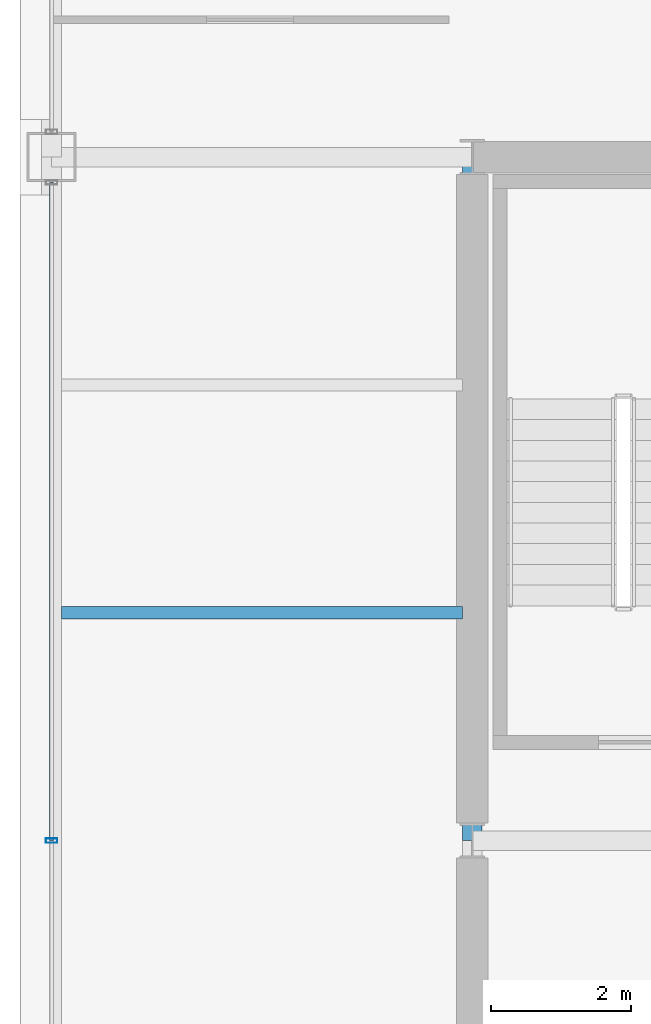
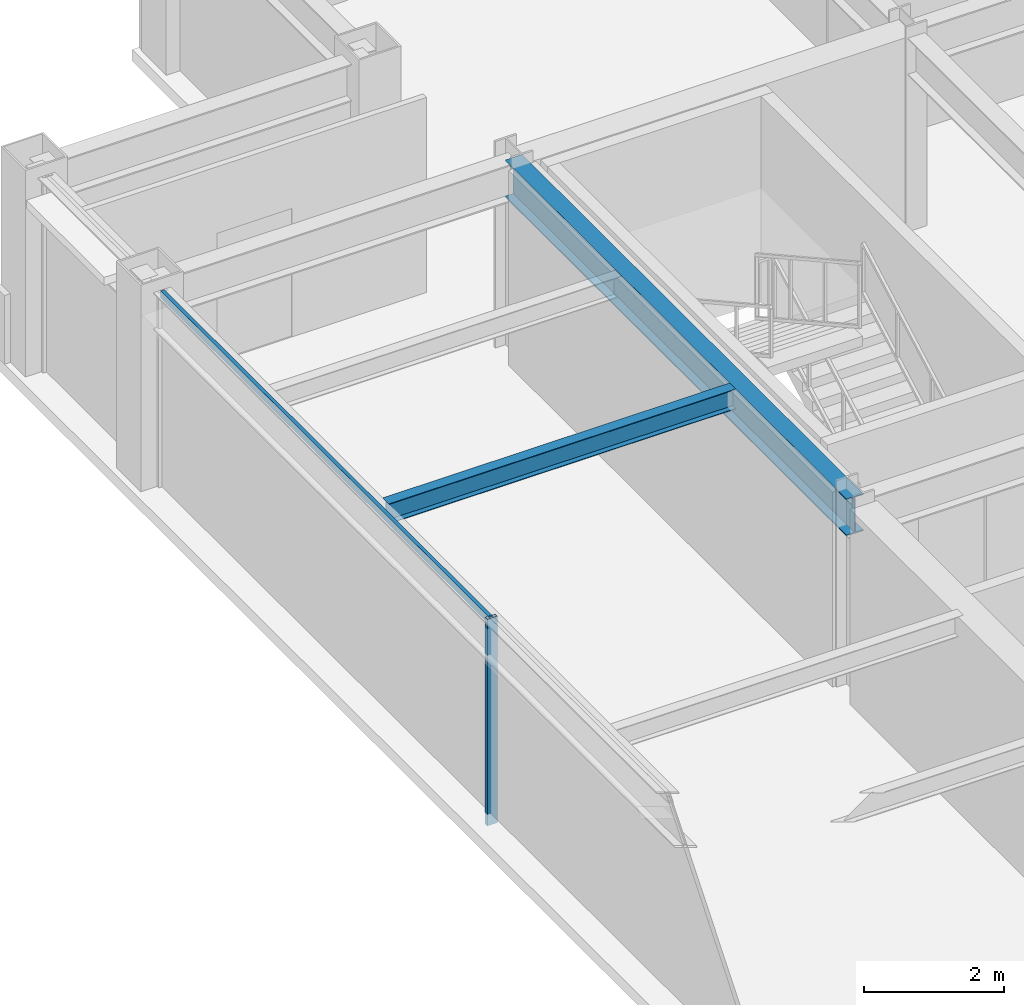
# One storey, part 8 of 29: 2 beams, 2 members, 1 element without a shape of its own.
"""IFC4 building model written with IfcOpenShell, lengths in metres."""

from ifc_helpers import new_model, si_unit, direction, frame, origin, origin_2d, place, context, subcontext, project, spatial, hollow_rectangle, i_section, extrude, material, layer, layer_set, material_profile, profile_set, type_object, element, aggregate, save


model = new_model("IFC4")

# Units and contexts
model_context = context("Model", 3, precision=1e-05, world=origin(), true_north=direction((0.0, 1.0)))
body_context = subcontext(model_context, "Body", "Model", "MODEL_VIEW")
ifc_project = project(units=[si_unit("LENGTHUNIT", "METRE"), si_unit("AREAUNIT", "SQUARE_METRE"), si_unit("VOLUMEUNIT", "CUBIC_METRE"), si_unit("PLANEANGLEUNIT", "RADIAN"), si_unit("MASSUNIT", "GRAM", prefix="KILO")], contexts=[model_context])

# Site, building, storey
site_placement = place(None, origin())
site = spatial("IfcSite", under=ifc_project, at=site_placement, CompositionType="ELEMENT")
building_placement = place(site_placement, origin())
building = spatial("IfcBuilding", under=site, at=building_placement, Name="Brelmoor Portico Tower", CompositionType="ELEMENT")
storey_placement = place(building_placement, frame((0.0, 0.0, 201.89990234375)))
storey = spatial("IfcBuildingStorey", under=building, at=storey_placement, Name="L53", CompositionType="ELEMENT", Elevation=201.89990234375)

# Beams
ifc_material_1 = material(Name="Steel Q355B", Category="steel")
ifc_material_profile_1 = material_profile(ifc_material_1, i_section(OverallWidth=0.175048828125, OverallDepth=0.35009765625, WebThickness=0.007080078125, FlangeThickness=0.010986328125, at=origin_2d()), Name="HN 350x175x7x11")
ifc_profile_set_1 = profile_set([ifc_material_profile_1], Name="Steel Q355B")
beam_type_1 = type_object("IfcBeamType", Name="BM-JS-350", PredefinedType="JOIST", material=ifc_profile_set_1)
beam_1_placement = place(storey_placement, frame((-20.409912109375, 3.25, 3.22509765625), z_axis=(1.0, 0.0, 0.0), x_axis=(0.0, 1.0, 0.0)))
element("IfcBeam", 1, at=beam_1_placement, inside=storey, type_object=beam_type_1, Name="L53 Secondary Wing Joist JS-W07", PredefinedType="JOIST", context=body_context, shape_type="SweptSolid", body=[
    extrude(i_section(OverallWidth=0.175048828125, OverallDepth=0.35009765625, WebThickness=0.007080078125, FlangeThickness=0.010986328125, at=origin_2d()), origin(), (0.0, 0.0, 1.0), 5.719970703125),
])
ifc_material_profile_2 = material_profile(ifc_material_1, i_section(OverallWidth=0.280029296875, OverallDepth=0.64990234375, WebThickness=0.012939453125, FlangeThickness=0.02197265625, at=origin_2d()), Name="HN 650x280x13x22")
ifc_profile_set_2 = profile_set([ifc_material_profile_2], Name="Steel Q355B")
beam_type_2 = type_object("IfcBeamType", Name="BM-PG-650", PredefinedType="BEAM", material=ifc_profile_set_2)
beam_2_placement = place(storey_placement, frame((-14.550048828125, 0.0, 3.0751953125), z_axis=(0.0, 1.0, 0.0), x_axis=(-1.0, 0.0, 0.0)))
element("IfcBeam", 2, at=beam_2_placement, inside=storey, type_object=beam_type_2, Name="L53 Primary Floor Girder PG-02", PredefinedType="BEAM", context=body_context, shape_type="SweptSolid", body=[
    extrude(i_section(OverallWidth=0.280029296875, OverallDepth=0.64990234375, WebThickness=0.012939453125, FlangeThickness=0.02197265625, at=origin_2d()), origin(), (0.0, 0.0, 1.0), 9.75),
])

# Curtain wall, members
ifc_material_2 = material(Name="Anodised Aluminium Alloy 6063-T6", Category="aluminium")
ifc_layer = layer(ifc_material_2, 0.179931640625)
ifc_layer_set = layer_set([ifc_layer], Name="Anodised Aluminium Alloy 6063-T6")
curtain_wall_type = type_object("IfcCurtainWallType", Name="CW-TOWER-Z3-XB", PredefinedType="NOTDEFINED", material=ifc_layer_set)
curtain_wall_placement = place(storey_placement, origin())
curtain_wall = element("IfcCurtainWall", 3, at=curtain_wall_placement, inside=storey, type_object=curtain_wall_type, Name="L53 Curtain Wall CW-L53-03-2", PredefinedType="NOTDEFINED")
ifc_material_profile_3 = material_profile(ifc_material_2, hollow_rectangle(XDim=0.06494140625, YDim=0.1650390625, WallThickness=0.00390625, at=origin_2d()), Name="ALU MULLION 65x165")
ifc_profile_set_3 = profile_set([ifc_material_profile_3], Name="Anodised Aluminium Alloy 6063-T6")
member_type_1 = type_object("IfcMemberType", Name="MB-CW-MULL-165", PredefinedType="MULLION", material=ifc_profile_set_3)
member_1_placement = place(storey_placement, frame((-20.550048828125, 0.0, -0.199951171875), z_axis=(0.0, 0.0, 1.0), x_axis=(0.0, 1.0, 0.0)))
member_1 = element("IfcMember", 4, at=member_1_placement, type_object=member_type_1, Name="CW-L53-03-2 Mullion 01", PredefinedType="MULLION", context=body_context, shape_type="SweptSolid", body=[
    extrude(hollow_rectangle(XDim=0.06494140625, YDim=0.1650390625, WallThickness=0.00390625, at=origin_2d()), origin(), (0.0, 0.0, 1.0), 3.60009765625),
])
ifc_material_profile_4 = material_profile(ifc_material_2, hollow_rectangle(XDim=0.06005859375, YDim=0.125, WallThickness=0.00341796875, at=origin_2d()), Name="ALU TRANSOM 60x125")
ifc_profile_set_4 = profile_set([ifc_material_profile_4], Name="Anodised Aluminium Alloy 6063-T6")
member_type_2 = type_object("IfcMemberType", Name="MB-CW-TRAN-125", PredefinedType="USERDEFINED", material=ifc_profile_set_4)
member_2_placement = place(storey_placement, frame((-20.550048828125, 0.0, 3.337646484375), z_axis=(0.0, 1.0, 0.0), x_axis=(-1.0, 0.0, 0.0)))
member_2 = element("IfcMember", 5, at=member_2_placement, type_object=member_type_2, Name="CW-L53-03-2 Transom 1-01", ObjectType="TRANSOM", PredefinedType="USERDEFINED", context=body_context, shape_type="SweptSolid", body=[
    extrude(hollow_rectangle(XDim=0.06005859375, YDim=0.125, WallThickness=0.00341796875, at=origin_2d()), origin(), (0.0, 0.0, 1.0), 9.389892578125),
])
aggregate(curtain_wall, [member_1, member_2])

save(model, "model.ifc")
